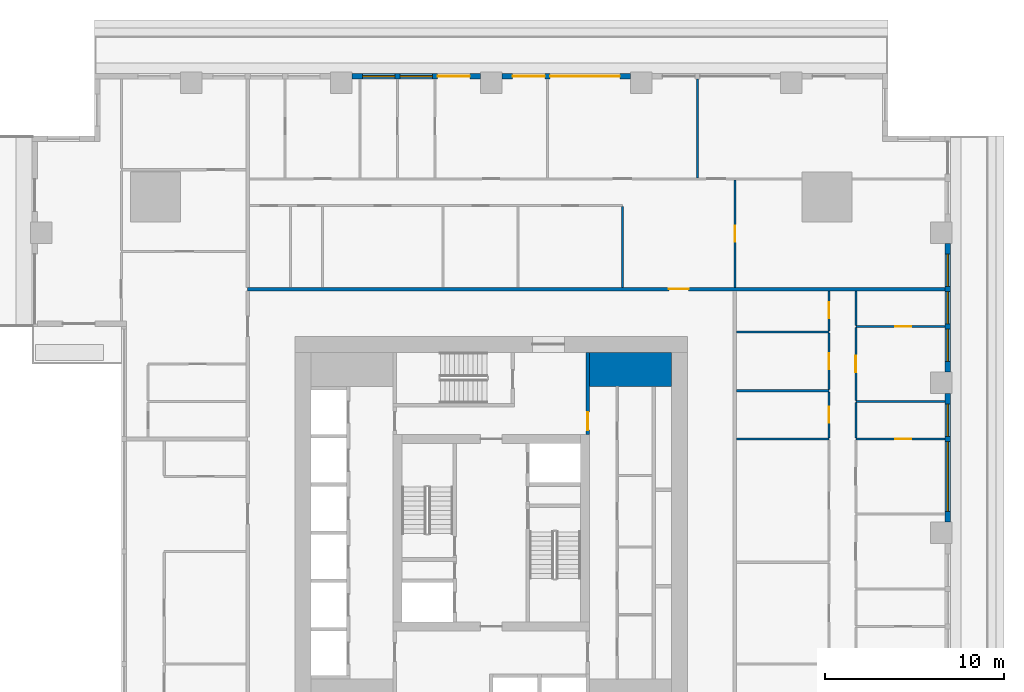
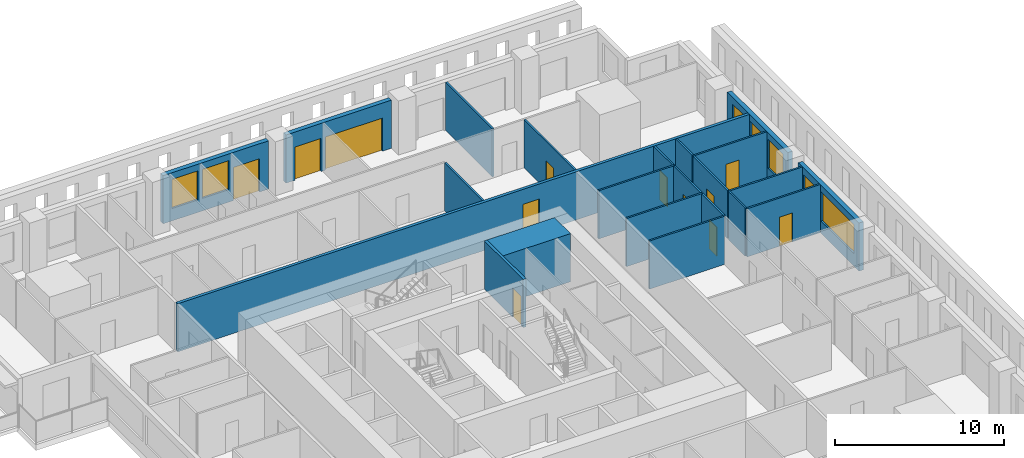
# One storey, part 8 of 14: 22 walls, 12 doors, 7 windows, 19 openings.
"""IFC4 building model written with IfcOpenShell, lengths in metres."""

from ifc_helpers import new_model, si_unit, direction, frame, frame_2d, origin, place, context, subcontext, project, spatial, rectangle, extrude, material, layer, layer_set, type_object, element, fill, save


model = new_model("IFC4")

# Units and contexts
model_context = context("Model", 3, precision=1e-05, world=origin(), true_north=direction((0.0, 1.0)))
body_context = subcontext(model_context, "Body", "Model", "MODEL_VIEW")
ifc_project = project(units=[si_unit("LENGTHUNIT", "METRE"), si_unit("AREAUNIT", "SQUARE_METRE"), si_unit("VOLUMEUNIT", "CUBIC_METRE"), si_unit("PLANEANGLEUNIT", "RADIAN"), si_unit("MASSUNIT", "GRAM", prefix="KILO")], contexts=[model_context])

# Site, building, storey
site_placement = place(None, origin())
site = spatial("IfcSite", under=ifc_project, at=site_placement, CompositionType="ELEMENT")
building_placement = place(site_placement, origin())
building = spatial("IfcBuilding", under=site, at=building_placement, Name="Khepri Terraces", CompositionType="ELEMENT")
storey_placement = place(building_placement, frame((0.0, 0.0, 110.39990234375)))
storey = spatial("IfcBuildingStorey", under=building, at=storey_placement, Name="L26", CompositionType="ELEMENT", Elevation=110.39990234375)

# Wall
ifc_material_1 = material(Name="Concrete C70/85", Category="concrete")
ifc_layer_1 = layer(ifc_material_1, 1.89990234375, Name="Concrete C70/85", Category="concrete")
ifc_layer_set_1 = layer_set([ifc_layer_1], Name="Concrete C70/85")
wall_type_1 = type_object("IfcWallType", Name="Core wall 1900 C70/85", PredefinedType="SHEAR", material=ifc_layer_set_1)
wall_1_placement = place(storey_placement, frame((5.5, 9.14990234375, 0.0), z_axis=(0.0, 0.0, 1.0), x_axis=(1.0, 0.0, 0.0)))
element("IfcWall", 1, at=wall_1_placement, inside=storey, type_object=wall_type_1, Name="Core wall PR04 L26", PredefinedType="SHEAR", context=body_context, shape_type="SweptSolid", body=[
    extrude(rectangle(XDim=4.60009765625, YDim=1.89990234375, at=frame_2d((2.300048828125, 0.0))), origin(), (0.0, 0.0, 1.0), 3.47998046875),
])

# Wall, opening, door
ifc_material_2 = material(Name="Fire-rated gypsum board partition")
ifc_layer_2 = layer(ifc_material_2, 0.199951171875, Name="Fire-rated gypsum board partition")
ifc_layer_set_2 = layer_set([ifc_layer_2], Name="Fire-rated gypsum board partition")
wall_type_2 = type_object("IfcWallType", Name="WL-CORE-PART-200", PredefinedType="PARTITIONING", material=ifc_layer_set_2)
wall_2_placement = place(storey_placement, frame((5.39990234375, 5.5, 0.0), z_axis=(0.0, 0.0, 1.0), x_axis=(0.0, 1.0, 0.0)))
wall_2 = element("IfcWall", 2, at=wall_2_placement, inside=storey, type_object=wall_type_2, Name="Core partition PT08 L26", PredefinedType="PARTITIONING", context=body_context, shape_type="SweptSolid", body=[
    extrude(rectangle(XDim=4.60009765625, YDim=0.199951171875, at=frame_2d((2.300048828125, 0.0))), origin(), (0.0, 0.0, 1.0), 3.47998046875),
])
opening_1_placement = place(wall_2_placement, frame((0.25, 0.0, 0.0)))
opening_1 = element("IfcOpeningElement", 3, at=opening_1_placement, cuts=wall_2, Name="Opening L26-C17", PredefinedType="OPENING", context=body_context, shape_type="SweptSolid", body=[
    extrude(rectangle(XDim=1.0, YDim=2.10009765625, at=frame_2d((0.5, 1.050048828125))), frame((0.0, 0.10986328125, 0.0), z_axis=(0.0, -1.0, 0.0), x_axis=(1.0, 0.0, 0.0)), (0.0, 0.0, 1.0), 0.219970703125),
])
ifc_material_3 = material(Name="Painted steel", Category="steel")
door_type_1 = type_object("IfcDoorType", Name="DR-CORE-LOBBY-1000", OperationType="NOTDEFINED", PredefinedType="DOOR", material=ifc_material_3)
door_1_placement = place(opening_1_placement, origin())
door_1 = element("IfcDoor", 4, at=door_1_placement, inside=storey, type_object=door_type_1, Name="Lobby door L26-C17", OperationType="SINGLE_SWING_LEFT", OverallHeight=2.10009765625, OverallWidth=1.0, PredefinedType="DOOR", context=body_context, shape_type="SweptSolid", body=[
    extrude(rectangle(XDim=1.0, YDim=2.10009765625, at=frame_2d((0.5, 1.050048828125))), frame((0.0, 0.02490234375, 0.0), z_axis=(0.0, -1.0, 0.0), x_axis=(1.0, 0.0, 0.0)), (0.0, 0.0, 1.0), 0.050048828125),
])
fill(opening_1, door_1)

ifc_material_4 = material(Name="Fire-rated gypsum plasterboard partition, mineral wool")
ifc_layer_3 = layer(ifc_material_4, 0.199951171875, Name="Fire-rated gypsum plasterboard partition, mineral wool")
ifc_layer_set_3 = layer_set([ifc_layer_3], Name="Fire-rated gypsum plasterboard partition, mineral wool")
wall_type_3 = type_object("IfcWallType", Name="WL-CORR-200", PredefinedType="PARTITIONING", material=ifc_layer_set_3)
wall_3_placement = place(storey_placement, frame((-13.64990234375, 13.64990234375, 0.0), z_axis=(0.0, 0.0, 1.0), x_axis=(1.0, 0.0, 0.0)))
wall_3 = element("IfcWall", 5, at=wall_3_placement, inside=storey, type_object=wall_type_3, Name="Partition P-065 L26", PredefinedType="PARTITIONING", context=body_context, shape_type="SweptSolid", body=[
    extrude(rectangle(XDim=39.06982421875, YDim=0.199951171875, at=frame_2d((19.534912109375, 0.0))), origin(), (0.0, 0.0, 1.0), 3.47998046875),
])
opening_2_placement = place(wall_3_placement, frame((23.60009765625, 0.0, 0.0)))
opening_2 = element("IfcOpeningElement", 6, at=opening_2_placement, cuts=wall_3, Name="Opening D1", PredefinedType="OPENING", context=body_context, shape_type="SweptSolid", body=[
    extrude(rectangle(XDim=1.10009765625, YDim=2.39990234375, at=frame_2d((0.550048828125, 1.199951171875))), frame((0.0, 0.10986328125, 0.0), z_axis=(0.0, -1.0, 0.0), x_axis=(1.0, 0.0, 0.0)), (0.0, 0.0, 1.0), 0.219970703125),
])
ifc_material_5 = material(Name="Solid-core timber door leaf, flat entrance door", Category="wood")
door_type_2 = type_object("IfcDoorType", Name="DR-ENT-1100", OperationType="NOTDEFINED", PredefinedType="DOOR", material=ifc_material_5)
door_2_placement = place(opening_2_placement, origin())
door_2 = element("IfcDoor", 7, at=door_2_placement, inside=storey, type_object=door_type_2, Name="Flat C1 entrance door", OperationType="SINGLE_SWING_RIGHT", OverallHeight=2.39990234375, OverallWidth=1.10009765625, PredefinedType="DOOR", context=body_context, shape_type="SweptSolid", body=[
    extrude(rectangle(XDim=1.10009765625, YDim=2.39990234375, at=frame_2d((0.550048828125, 1.199951171875))), frame((0.0, 0.02490234375, 0.0), z_axis=(0.0, -1.0, 0.0), x_axis=(1.0, 0.0, 0.0)), (0.0, 0.0, 1.0), 0.050048828125),
])
fill(opening_2, door_2)

# Wall, openings, windows
ifc_material_6 = material(Name="Precast concrete C50/60 warm stone", Category="masonry")
ifc_layer_4 = layer(ifc_material_6, 0.300048828125, Name="Precast concrete C50/60 warm stone", Category="masonry")
ifc_layer_set_4 = layer_set([ifc_layer_4], Name="Precast concrete C50/60 warm stone")
wall_type_4 = type_object("IfcWallType", Name="WL-EXT-PRECAST-300", PredefinedType="STANDARD", material=ifc_layer_set_4)
wall_4_placement = place(storey_placement, frame((25.570068359375, 0.60009765625, 0.0), z_axis=(0.0, 0.0, 1.0), x_axis=(0.0, 1.0, 0.0)))
wall_4 = element("IfcWall", 8, at=wall_4_placement, inside=storey, type_object=wall_type_4, Name="External wall L26 E", PredefinedType="STANDARD", context=body_context, shape_type="SweptSolid", body=[
    extrude(rectangle(XDim=7.199951171875, YDim=0.300048828125, at=frame_2d((3.60009765625, 0.0))), origin(), (0.0, 0.0, 1.0), 3.47998046875),
])
opening_3_placement = place(wall_4_placement, frame((0.60009765625, 0.0, 0.89990234375)))
opening_3 = element("IfcOpeningElement", 9, at=opening_3_placement, cuts=wall_4, Name="Opening W2", PredefinedType="OPENING", context=body_context, shape_type="SweptSolid", body=[
    extrude(rectangle(XDim=3.89990234375, YDim=2.10009765625, at=frame_2d((1.949951171875, 1.050048828125))), frame((0.0, 0.16015625, 0.0), z_axis=(0.0, -1.0, 0.0), x_axis=(1.0, 0.0, 0.0)), (0.0, 0.0, 1.0), 0.320068359375),
])
opening_4_placement = place(wall_4_placement, frame((4.800048828125, 0.0, 0.89990234375)))
opening_4 = element("IfcOpeningElement", 10, at=opening_4_placement, cuts=wall_4, Name="Opening W1", PredefinedType="OPENING", context=body_context, shape_type="SweptSolid", body=[
    extrude(rectangle(XDim=1.800048828125, YDim=2.10009765625, at=frame_2d((0.89990234375, 1.050048828125))), frame((0.0, 0.16015625, 0.0), z_axis=(0.0, -1.0, 0.0), x_axis=(1.0, 0.0, 0.0)), (0.0, 0.0, 1.0), 0.320068359375),
])
ifc_material_7 = material(Name="Clear glass", Category="glass")
window_type_1 = type_object("IfcWindowType", Name="WIN-RES-1800x2100", PartitioningType="SINGLE_PANEL", PredefinedType="WINDOW", material=ifc_material_7)
window_1_placement = place(opening_4_placement, origin())
window_1 = element("IfcWindow", 11, at=window_1_placement, inside=storey, type_object=window_type_1, Name="Window L26 E", OverallHeight=2.10009765625, OverallWidth=1.800048828125, PartitioningType="SINGLE_PANEL", PredefinedType="WINDOW", context=body_context, shape_type="SweptSolid", body=[
    extrude(rectangle(XDim=1.800048828125, YDim=2.10009765625, at=frame_2d((0.89990234375, 1.050048828125))), frame((0.0, 0.030029296875, 0.0), z_axis=(0.0, -1.0, 0.0), x_axis=(1.0, 0.0, 0.0)), (0.0, 0.0, 1.0), 0.06005859375),
])
fill(opening_4, window_1)
window_type_2 = type_object("IfcWindowType", Name="WIN-RES-3900x2100", PartitioningType="SINGLE_PANEL", PredefinedType="WINDOW", material=ifc_material_7)
window_2_placement = place(opening_3_placement, origin())
window_2 = element("IfcWindow", 12, at=window_2_placement, inside=storey, type_object=window_type_2, Name="Window L26 E", OverallHeight=2.10009765625, OverallWidth=3.89990234375, PartitioningType="SINGLE_PANEL", PredefinedType="WINDOW", context=body_context, shape_type="SweptSolid", body=[
    extrude(rectangle(XDim=3.89990234375, YDim=2.10009765625, at=frame_2d((1.949951171875, 1.050048828125))), frame((0.0, 0.030029296875, 0.0), z_axis=(0.0, -1.0, 0.0), x_axis=(1.0, 0.0, 0.0)), (0.0, 0.0, 1.0), 0.06005859375),
])
fill(opening_3, window_2)

wall_5_placement = place(storey_placement, frame((25.570068359375, 9.0, 0.0), z_axis=(0.0, 0.0, 1.0), x_axis=(0.0, 1.0, 0.0)))
wall_5 = element("IfcWall", 13, at=wall_5_placement, inside=storey, type_object=wall_type_4, Name="External wall L26 E", PredefinedType="STANDARD", context=body_context, shape_type="SweptSolid", body=[
    extrude(rectangle(XDim=7.199951171875, YDim=0.300048828125, at=frame_2d((3.60009765625, 0.0))), origin(), (0.0, 0.0, 1.0), 3.47998046875),
])
opening_5_placement = place(wall_5_placement, frame((0.60009765625, 0.0, 0.89990234375)))
opening_5 = element("IfcOpeningElement", 14, at=opening_5_placement, cuts=wall_5, Name="Opening W1", PredefinedType="OPENING", context=body_context, shape_type="SweptSolid", body=[
    extrude(rectangle(XDim=1.800048828125, YDim=2.10009765625, at=frame_2d((0.89990234375, 1.050048828125))), frame((0.0, 0.16015625, 0.0), z_axis=(0.0, -1.0, 0.0), x_axis=(1.0, 0.0, 0.0)), (0.0, 0.0, 1.0), 0.320068359375),
])
opening_6_placement = place(wall_5_placement, frame((2.699951171875, 0.0, 0.89990234375)))
opening_6 = element("IfcOpeningElement", 15, at=opening_6_placement, cuts=wall_5, Name="Opening W1", PredefinedType="OPENING", context=body_context, shape_type="SweptSolid", body=[
    extrude(rectangle(XDim=1.800048828125, YDim=2.10009765625, at=frame_2d((0.89990234375, 1.050048828125))), frame((0.0, 0.16015625, 0.0), z_axis=(0.0, -1.0, 0.0), x_axis=(1.0, 0.0, 0.0)), (0.0, 0.0, 1.0), 0.320068359375),
])
opening_7_placement = place(wall_5_placement, frame((4.800048828125, 0.0, 0.89990234375)))
opening_7 = element("IfcOpeningElement", 16, at=opening_7_placement, cuts=wall_5, Name="Opening W1", PredefinedType="OPENING", context=body_context, shape_type="SweptSolid", body=[
    extrude(rectangle(XDim=1.800048828125, YDim=2.10009765625, at=frame_2d((0.89990234375, 1.050048828125))), frame((0.0, 0.16015625, 0.0), z_axis=(0.0, -1.0, 0.0), x_axis=(1.0, 0.0, 0.0)), (0.0, 0.0, 1.0), 0.320068359375),
])
window_3_placement = place(opening_5_placement, origin())
window_3 = element("IfcWindow", 17, at=window_3_placement, inside=storey, type_object=window_type_1, Name="Window L26 E", OverallHeight=2.10009765625, OverallWidth=1.800048828125, PartitioningType="SINGLE_PANEL", PredefinedType="WINDOW", context=body_context, shape_type="SweptSolid", body=[
    extrude(rectangle(XDim=1.800048828125, YDim=2.10009765625, at=frame_2d((0.89990234375, 1.050048828125))), frame((0.0, 0.030029296875, 0.0), z_axis=(0.0, -1.0, 0.0), x_axis=(1.0, 0.0, 0.0)), (0.0, 0.0, 1.0), 0.06005859375),
])
fill(opening_5, window_3)
window_4_placement = place(opening_6_placement, origin())
window_4 = element("IfcWindow", 18, at=window_4_placement, inside=storey, type_object=window_type_1, Name="Window L26 E", OverallHeight=2.10009765625, OverallWidth=1.800048828125, PartitioningType="SINGLE_PANEL", PredefinedType="WINDOW", context=body_context, shape_type="SweptSolid", body=[
    extrude(rectangle(XDim=1.800048828125, YDim=2.10009765625, at=frame_2d((0.89990234375, 1.050048828125))), frame((0.0, 0.030029296875, 0.0), z_axis=(0.0, -1.0, 0.0), x_axis=(1.0, 0.0, 0.0)), (0.0, 0.0, 1.0), 0.06005859375),
])
fill(opening_6, window_4)
window_5_placement = place(opening_7_placement, origin())
window_5 = element("IfcWindow", 19, at=window_5_placement, inside=storey, type_object=window_type_1, Name="Window L26 E", OverallHeight=2.10009765625, OverallWidth=1.800048828125, PartitioningType="SINGLE_PANEL", PredefinedType="WINDOW", context=body_context, shape_type="SweptSolid", body=[
    extrude(rectangle(XDim=1.800048828125, YDim=2.10009765625, at=frame_2d((0.89990234375, 1.050048828125))), frame((0.0, 0.030029296875, 0.0), z_axis=(0.0, -1.0, 0.0), x_axis=(1.0, 0.0, 0.0)), (0.0, 0.0, 1.0), 0.06005859375),
])
fill(opening_7, window_5)

# Wall, openings, doors
wall_6_placement = place(storey_placement, frame((7.800048828125, 25.570068359375, 0.0), z_axis=(0.0, 0.0, 1.0), x_axis=(-1.0, 0.0, 0.0)))
wall_6 = element("IfcWall", 20, at=wall_6_placement, inside=storey, type_object=wall_type_4, Name="External wall L26 N", PredefinedType="STANDARD", context=body_context, shape_type="SweptSolid", body=[
    extrude(rectangle(XDim=7.199951171875, YDim=0.300048828125, at=frame_2d((3.60009765625, 0.0))), origin(), (0.0, 0.0, 1.0), 3.47998046875),
])
opening_8_placement = place(wall_6_placement, frame((0.60009765625, 0.0, 0.0)))
opening_8 = element("IfcOpeningElement", 21, at=opening_8_placement, cuts=wall_6, Name="Opening ED-L26-08", PredefinedType="OPENING", context=body_context, shape_type="SweptSolid", body=[
    extrude(rectangle(XDim=3.89990234375, YDim=2.39990234375, at=frame_2d((1.949951171875, 1.199951171875))), frame((0.0, 0.16015625, 0.0), z_axis=(0.0, -1.0, 0.0), x_axis=(1.0, 0.0, 0.0)), (0.0, 0.0, 1.0), 0.320068359375),
])
opening_9_placement = place(wall_6_placement, frame((4.800048828125, 0.0, 0.0)))
opening_9 = element("IfcOpeningElement", 22, at=opening_9_placement, cuts=wall_6, Name="Opening ED-L26-09", PredefinedType="OPENING", context=body_context, shape_type="SweptSolid", body=[
    extrude(rectangle(XDim=1.800048828125, YDim=2.39990234375, at=frame_2d((0.89990234375, 1.199951171875))), frame((0.0, 0.16015625, 0.0), z_axis=(0.0, -1.0, 0.0), x_axis=(1.0, 0.0, 0.0)), (0.0, 0.0, 1.0), 0.320068359375),
])
ifc_material_8 = material(Name="Anodised aluminium bronze glazed door", Category="aluminium")
door_type_3 = type_object("IfcDoorType", Name="DR-BAL-SLIDE-1800x2400", OperationType="NOTDEFINED", PredefinedType="DOOR", material=ifc_material_8)
door_3_placement = place(opening_9_placement, origin())
door_3 = element("IfcDoor", 23, at=door_3_placement, inside=storey, type_object=door_type_3, Name="Balcony door L26 N", OperationType="SLIDING_TO_RIGHT", OverallHeight=2.39990234375, OverallWidth=1.800048828125, PredefinedType="DOOR", context=body_context, shape_type="SweptSolid", body=[
    extrude(rectangle(XDim=1.800048828125, YDim=2.39990234375, at=frame_2d((0.89990234375, 1.199951171875))), frame((0.0, 0.02490234375, 0.0), z_axis=(0.0, -1.0, 0.0), x_axis=(1.0, 0.0, 0.0)), (0.0, 0.0, 1.0), 0.050048828125),
])
fill(opening_9, door_3)
door_type_4 = type_object("IfcDoorType", Name="DR-BAL-SLIDE-3900x2400", OperationType="NOTDEFINED", PredefinedType="DOOR", material=ifc_material_8)
door_4_placement = place(opening_8_placement, origin())
door_4 = element("IfcDoor", 24, at=door_4_placement, inside=storey, type_object=door_type_4, Name="Balcony door L26 N", OperationType="SLIDING_TO_LEFT", OverallHeight=2.39990234375, OverallWidth=3.89990234375, PredefinedType="DOOR", context=body_context, shape_type="SweptSolid", body=[
    extrude(rectangle(XDim=3.89990234375, YDim=2.39990234375, at=frame_2d((1.949951171875, 1.199951171875))), frame((0.0, 0.02490234375, 0.0), z_axis=(0.0, -1.0, 0.0), x_axis=(1.0, 0.0, 0.0)), (0.0, 0.0, 1.0), 0.050048828125),
])
fill(opening_8, door_4)

# Wall, openings, door, windows
wall_7_placement = place(storey_placement, frame((-0.60009765625, 25.570068359375, 0.0), z_axis=(0.0, 0.0, 1.0), x_axis=(-1.0, 0.0, 0.0)))
wall_7 = element("IfcWall", 25, at=wall_7_placement, inside=storey, type_object=wall_type_4, Name="External wall L26 N", PredefinedType="STANDARD", context=body_context, shape_type="SweptSolid", body=[
    extrude(rectangle(XDim=7.199951171875, YDim=0.300048828125, at=frame_2d((3.60009765625, 0.0))), origin(), (0.0, 0.0, 1.0), 3.47998046875),
])
opening_10_placement = place(wall_7_placement, frame((0.60009765625, 0.0, 0.0)))
opening_10 = element("IfcOpeningElement", 26, at=opening_10_placement, cuts=wall_7, Name="Opening ED-L26-10", PredefinedType="OPENING", context=body_context, shape_type="SweptSolid", body=[
    extrude(rectangle(XDim=1.800048828125, YDim=2.39990234375, at=frame_2d((0.89990234375, 1.199951171875))), frame((0.0, 0.16015625, 0.0), z_axis=(0.0, -1.0, 0.0), x_axis=(1.0, 0.0, 0.0)), (0.0, 0.0, 1.0), 0.320068359375),
])
opening_11_placement = place(wall_7_placement, frame((2.699951171875, 0.0, 0.89990234375)))
opening_11 = element("IfcOpeningElement", 27, at=opening_11_placement, cuts=wall_7, Name="Opening W1", PredefinedType="OPENING", context=body_context, shape_type="SweptSolid", body=[
    extrude(rectangle(XDim=1.800048828125, YDim=2.10009765625, at=frame_2d((0.89990234375, 1.050048828125))), frame((0.0, 0.16015625, 0.0), z_axis=(0.0, -1.0, 0.0), x_axis=(1.0, 0.0, 0.0)), (0.0, 0.0, 1.0), 0.320068359375),
])
opening_12_placement = place(wall_7_placement, frame((4.800048828125, 0.0, 0.89990234375)))
opening_12 = element("IfcOpeningElement", 28, at=opening_12_placement, cuts=wall_7, Name="Opening W1", PredefinedType="OPENING", context=body_context, shape_type="SweptSolid", body=[
    extrude(rectangle(XDim=1.800048828125, YDim=2.10009765625, at=frame_2d((0.89990234375, 1.050048828125))), frame((0.0, 0.16015625, 0.0), z_axis=(0.0, -1.0, 0.0), x_axis=(1.0, 0.0, 0.0)), (0.0, 0.0, 1.0), 0.320068359375),
])
door_5_placement = place(opening_10_placement, origin())
door_5 = element("IfcDoor", 29, at=door_5_placement, inside=storey, type_object=door_type_3, Name="Balcony door L26 N", OperationType="SLIDING_TO_LEFT", OverallHeight=2.39990234375, OverallWidth=1.800048828125, PredefinedType="DOOR", context=body_context, shape_type="SweptSolid", body=[
    extrude(rectangle(XDim=1.800048828125, YDim=2.39990234375, at=frame_2d((0.89990234375, 1.199951171875))), frame((0.0, 0.02490234375, 0.0), z_axis=(0.0, -1.0, 0.0), x_axis=(1.0, 0.0, 0.0)), (0.0, 0.0, 1.0), 0.050048828125),
])
fill(opening_10, door_5)
window_6_placement = place(opening_11_placement, origin())
window_6 = element("IfcWindow", 30, at=window_6_placement, inside=storey, type_object=window_type_1, Name="Window L26 N", OverallHeight=2.10009765625, OverallWidth=1.800048828125, PartitioningType="SINGLE_PANEL", PredefinedType="WINDOW", context=body_context, shape_type="SweptSolid", body=[
    extrude(rectangle(XDim=1.800048828125, YDim=2.10009765625, at=frame_2d((0.89990234375, 1.050048828125))), frame((0.0, 0.030029296875, 0.0), z_axis=(0.0, -1.0, 0.0), x_axis=(1.0, 0.0, 0.0)), (0.0, 0.0, 1.0), 0.06005859375),
])
fill(opening_11, window_6)
window_7_placement = place(opening_12_placement, origin())
window_7 = element("IfcWindow", 31, at=window_7_placement, inside=storey, type_object=window_type_1, Name="Window L26 N", OverallHeight=2.10009765625, OverallWidth=1.800048828125, PartitioningType="SINGLE_PANEL", PredefinedType="WINDOW", context=body_context, shape_type="SweptSolid", body=[
    extrude(rectangle(XDim=1.800048828125, YDim=2.10009765625, at=frame_2d((0.89990234375, 1.050048828125))), frame((0.0, 0.030029296875, 0.0), z_axis=(0.0, -1.0, 0.0), x_axis=(1.0, 0.0, 0.0)), (0.0, 0.0, 1.0), 0.06005859375),
])
fill(opening_12, window_7)

# Wall
ifc_material_9 = material(Name="Gypsum plasterboard partition")
ifc_layer_5 = layer(ifc_material_9, 0.1201171875, Name="Gypsum plasterboard partition")
ifc_layer_set_5 = layer_set([ifc_layer_5], Name="Gypsum plasterboard partition")
wall_type_5 = type_object("IfcWallType", Name="WL-PART-120", PredefinedType="PARTITIONING", material=ifc_layer_set_5)
wall_8_placement = place(storey_placement, frame((13.75, 5.25, 0.0), z_axis=(0.0, 0.0, 1.0), x_axis=(1.0, 0.0, 0.0)))
element("IfcWall", 32, at=wall_8_placement, inside=storey, type_object=wall_type_5, Name="Partition P-047 L26", PredefinedType="PARTITIONING", context=body_context, shape_type="SweptSolid", body=[
    extrude(rectangle(XDim=5.169921875, YDim=0.1201171875, at=frame_2d((2.5849609375, 0.0))), origin(), (0.0, 0.0, 1.0), 3.47998046875),
])

# Wall, opening, door
wall_9_placement = place(storey_placement, frame((20.419921875, 5.25, 0.0), z_axis=(0.0, 0.0, 1.0), x_axis=(1.0, 0.0, 0.0)))
wall_9 = element("IfcWall", 33, at=wall_9_placement, inside=storey, type_object=wall_type_5, Name="Partition P-048 L26", PredefinedType="PARTITIONING", context=body_context, shape_type="SweptSolid", body=[
    extrude(rectangle(XDim=5.0, YDim=0.1201171875, at=frame_2d((2.5, 0.0))), origin(), (0.0, 0.0, 1.0), 3.47998046875),
])
opening_13_placement = place(wall_9_placement, frame((2.199951171875, 0.0, 0.0)))
opening_13 = element("IfcOpeningElement", 34, at=opening_13_placement, cuts=wall_9, Name="Opening D4", PredefinedType="OPENING", context=body_context, shape_type="SweptSolid", body=[
    extrude(rectangle(XDim=0.89990234375, YDim=2.10009765625, at=frame_2d((0.449951171875, 1.050048828125))), frame((0.0, 0.070068359375, 0.0), z_axis=(0.0, -1.0, 0.0), x_axis=(1.0, 0.0, 0.0)), (0.0, 0.0, 1.0), 0.14013671875),
])
ifc_material_10 = material(Name="Timber door leaf, moisture resistant", Category="wood")
door_type_5 = type_object("IfcDoorType", Name="DR-WET-900", OperationType="NOTDEFINED", PredefinedType="DOOR", material=ifc_material_10)
door_6_placement = place(opening_13_placement, origin())
door_6 = element("IfcDoor", 35, at=door_6_placement, inside=storey, type_object=door_type_5, Name="Door Bathroom", OperationType="SINGLE_SWING_RIGHT", OverallHeight=2.10009765625, OverallWidth=0.89990234375, PredefinedType="DOOR", context=body_context, shape_type="SweptSolid", body=[
    extrude(rectangle(XDim=0.89990234375, YDim=2.10009765625, at=frame_2d((0.449951171875, 1.050048828125))), frame((0.0, 0.02490234375, 0.0), z_axis=(0.0, -1.0, 0.0), x_axis=(1.0, 0.0, 0.0)), (0.0, 0.0, 1.0), 0.050048828125),
])
fill(opening_13, door_6)

wall_10_placement = place(storey_placement, frame((18.919921875, 5.31005859375, 0.0), z_axis=(0.0, 0.0, 1.0), x_axis=(0.0, 1.0, 0.0)))
wall_10 = element("IfcWall", 36, at=wall_10_placement, inside=storey, type_object=wall_type_5, Name="Partition P-049 L26", PredefinedType="PARTITIONING", context=body_context, shape_type="SweptSolid", body=[
    extrude(rectangle(XDim=2.579833984375, YDim=0.1201171875, at=frame_2d((1.2900390625, 0.0))), origin(), (0.0, 0.0, 1.0), 3.47998046875),
])
opening_14_placement = place(wall_10_placement, frame((0.840087890625, 0.0, 0.0)))
opening_14 = element("IfcOpeningElement", 37, at=opening_14_placement, cuts=wall_10, Name="Opening D4", PredefinedType="OPENING", context=body_context, shape_type="SweptSolid", body=[
    extrude(rectangle(XDim=0.89990234375, YDim=2.10009765625, at=frame_2d((0.449951171875, 1.050048828125))), frame((0.0, 0.070068359375, 0.0), z_axis=(0.0, -1.0, 0.0), x_axis=(1.0, 0.0, 0.0)), (0.0, 0.0, 1.0), 0.14013671875),
])
door_7_placement = place(opening_14_placement, origin())
door_7 = element("IfcDoor", 38, at=door_7_placement, inside=storey, type_object=door_type_5, Name="Door Powder Room", OperationType="SINGLE_SWING_RIGHT", OverallHeight=2.10009765625, OverallWidth=0.89990234375, PredefinedType="DOOR", context=body_context, shape_type="SweptSolid", body=[
    extrude(rectangle(XDim=0.89990234375, YDim=2.10009765625, at=frame_2d((0.449951171875, 1.050048828125))), frame((0.0, 0.02490234375, 0.0), z_axis=(0.0, -1.0, 0.0), x_axis=(1.0, 0.0, 0.0)), (0.0, 0.0, 1.0), 0.050048828125),
])
fill(opening_14, door_7)

# Walls
wall_11_placement = place(storey_placement, frame((20.419921875, 5.31005859375, 0.0), z_axis=(0.0, 0.0, 1.0), x_axis=(0.0, 1.0, 0.0)))
element("IfcWall", 39, at=wall_11_placement, inside=storey, type_object=wall_type_5, Name="Partition P-050 L26", PredefinedType="PARTITIONING", context=body_context, shape_type="SweptSolid", body=[
    extrude(rectangle(XDim=1.97998046875, YDim=0.1201171875, at=frame_2d((0.989990234375, 0.0))), origin(), (0.0, 0.0, 1.0), 3.47998046875),
])
wall_12_placement = place(storey_placement, frame((20.419921875, 7.35009765625, 0.0), z_axis=(0.0, 0.0, 1.0), x_axis=(1.0, 0.0, 0.0)))
element("IfcWall", 40, at=wall_12_placement, inside=storey, type_object=wall_type_5, Name="Partition P-054 L26", PredefinedType="PARTITIONING", context=body_context, shape_type="SweptSolid", body=[
    extrude(rectangle(XDim=5.0, YDim=0.1201171875, at=frame_2d((2.5, 0.0))), origin(), (0.0, 0.0, 1.0), 3.47998046875),
])

# Wall, opening, door
wall_13_placement = place(storey_placement, frame((20.419921875, 7.409912109375, 0.0), z_axis=(0.0, 0.0, 1.0), x_axis=(0.0, 1.0, 0.0)))
wall_13 = element("IfcWall", 41, at=wall_13_placement, inside=storey, type_object=wall_type_5, Name="Partition P-056 L26", PredefinedType="PARTITIONING", context=body_context, shape_type="SweptSolid", body=[
    extrude(rectangle(XDim=4.080078125, YDim=0.1201171875, at=frame_2d((2.0400390625, 0.0))), origin(), (0.0, 0.0, 1.0), 3.47998046875),
])
opening_15_placement = place(wall_13_placement, frame((1.590087890625, 0.0, 0.0)))
opening_15 = element("IfcOpeningElement", 42, at=opening_15_placement, cuts=wall_13, Name="Opening D3", PredefinedType="OPENING", context=body_context, shape_type="SweptSolid", body=[
    extrude(rectangle(XDim=0.89990234375, YDim=2.10009765625, at=frame_2d((0.449951171875, 1.050048828125))), frame((0.0, 0.070068359375, 0.0), z_axis=(0.0, -1.0, 0.0), x_axis=(1.0, 0.0, 0.0)), (0.0, 0.0, 1.0), 0.14013671875),
])
ifc_material_11 = material(Name="Timber door leaf", Category="wood")
door_type_6 = type_object("IfcDoorType", Name="DR-INT-900", OperationType="NOTDEFINED", PredefinedType="DOOR", material=ifc_material_11)
door_8_placement = place(opening_15_placement, frame((0.89990234375, 0.0, 0.0), z_axis=(0.0, 0.0, 1.0), x_axis=(-1.0, 0.0, 0.0)))
door_8 = element("IfcDoor", 43, at=door_8_placement, inside=storey, type_object=door_type_6, Name="Door Bedroom", OperationType="SINGLE_SWING_RIGHT", OverallHeight=2.10009765625, OverallWidth=0.89990234375, PredefinedType="DOOR", context=body_context, shape_type="SweptSolid", body=[
    extrude(rectangle(XDim=0.89990234375, YDim=2.10009765625, at=frame_2d((0.449951171875, 1.050048828125))), frame((0.0, 0.02490234375, 0.0), z_axis=(0.0, -1.0, 0.0), x_axis=(1.0, 0.0, 0.0)), (0.0, 0.0, 1.0), 0.050048828125),
])
fill(opening_15, door_8)

# Wall
wall_14_placement = place(storey_placement, frame((13.75, 7.949951171875, 0.0), z_axis=(0.0, 0.0, 1.0), x_axis=(1.0, 0.0, 0.0)))
element("IfcWall", 44, at=wall_14_placement, inside=storey, type_object=wall_type_5, Name="Partition P-057 L26", PredefinedType="PARTITIONING", context=body_context, shape_type="SweptSolid", body=[
    extrude(rectangle(XDim=5.169921875, YDim=0.1201171875, at=frame_2d((2.5849609375, 0.0))), origin(), (0.0, 0.0, 1.0), 3.47998046875),
])

# Wall, opening, door
wall_15_placement = place(storey_placement, frame((18.919921875, 8.010009765625, 0.0), z_axis=(0.0, 0.0, 1.0), x_axis=(0.0, 1.0, 0.0)))
wall_15 = element("IfcWall", 45, at=wall_15_placement, inside=storey, type_object=wall_type_5, Name="Partition P-058 L26", PredefinedType="PARTITIONING", context=body_context, shape_type="SweptSolid", body=[
    extrude(rectangle(XDim=3.179931640625, YDim=0.1201171875, at=frame_2d((1.58984375, 0.0))), origin(), (0.0, 0.0, 1.0), 3.47998046875),
])
opening_16_placement = place(wall_15_placement, frame((1.139892578125, 0.0, 0.0)))
opening_16 = element("IfcOpeningElement", 46, at=opening_16_placement, cuts=wall_15, Name="Opening D4", PredefinedType="OPENING", context=body_context, shape_type="SweptSolid", body=[
    extrude(rectangle(XDim=0.89990234375, YDim=2.10009765625, at=frame_2d((0.449951171875, 1.050048828125))), frame((0.0, 0.070068359375, 0.0), z_axis=(0.0, -1.0, 0.0), x_axis=(1.0, 0.0, 0.0)), (0.0, 0.0, 1.0), 0.14013671875),
])
door_9_placement = place(opening_16_placement, origin())
door_9 = element("IfcDoor", 47, at=door_9_placement, inside=storey, type_object=door_type_5, Name="Door Guest Bathroom", OperationType="SINGLE_SWING_RIGHT", OverallHeight=2.10009765625, OverallWidth=0.89990234375, PredefinedType="DOOR", context=body_context, shape_type="SweptSolid", body=[
    extrude(rectangle(XDim=0.89990234375, YDim=2.10009765625, at=frame_2d((0.449951171875, 1.050048828125))), frame((0.0, 0.02490234375, 0.0), z_axis=(0.0, -1.0, 0.0), x_axis=(1.0, 0.0, 0.0)), (0.0, 0.0, 1.0), 0.050048828125),
])
fill(opening_16, door_9)

# Wall
wall_16_placement = place(storey_placement, frame((13.75, 11.25, 0.0), z_axis=(0.0, 0.0, 1.0), x_axis=(1.0, 0.0, 0.0)))
element("IfcWall", 48, at=wall_16_placement, inside=storey, type_object=wall_type_5, Name="Partition P-060 L26", PredefinedType="PARTITIONING", context=body_context, shape_type="SweptSolid", body=[
    extrude(rectangle(XDim=5.169921875, YDim=0.1201171875, at=frame_2d((2.5849609375, 0.0))), origin(), (0.0, 0.0, 1.0), 3.47998046875),
])

# Wall, opening, door
wall_17_placement = place(storey_placement, frame((18.919921875, 11.31005859375, 0.0), z_axis=(0.0, 0.0, 1.0), x_axis=(0.0, 1.0, 0.0)))
wall_17 = element("IfcWall", 49, at=wall_17_placement, inside=storey, type_object=wall_type_5, Name="Partition P-061 L26", PredefinedType="PARTITIONING", context=body_context, shape_type="SweptSolid", body=[
    extrude(rectangle(XDim=2.239990234375, YDim=0.1201171875, at=frame_2d((1.1201171875, 0.0))), origin(), (0.0, 0.0, 1.0), 3.47998046875),
])
opening_17_placement = place(wall_17_placement, frame((0.68994140625, 0.0, 0.0)))
opening_17 = element("IfcOpeningElement", 50, at=opening_17_placement, cuts=wall_17, Name="Opening D3", PredefinedType="OPENING", context=body_context, shape_type="SweptSolid", body=[
    extrude(rectangle(XDim=0.89990234375, YDim=2.10009765625, at=frame_2d((0.449951171875, 1.050048828125))), frame((0.0, 0.070068359375, 0.0), z_axis=(0.0, -1.0, 0.0), x_axis=(1.0, 0.0, 0.0)), (0.0, 0.0, 1.0), 0.14013671875),
])
door_10_placement = place(opening_17_placement, origin())
door_10 = element("IfcDoor", 51, at=door_10_placement, inside=storey, type_object=door_type_6, Name="Door Utility Room", OperationType="SINGLE_SWING_RIGHT", OverallHeight=2.10009765625, OverallWidth=0.89990234375, PredefinedType="DOOR", context=body_context, shape_type="SweptSolid", body=[
    extrude(rectangle(XDim=0.89990234375, YDim=2.10009765625, at=frame_2d((0.449951171875, 1.050048828125))), frame((0.0, 0.02490234375, 0.0), z_axis=(0.0, -1.0, 0.0), x_axis=(1.0, 0.0, 0.0)), (0.0, 0.0, 1.0), 0.050048828125),
])
fill(opening_17, door_10)

wall_18_placement = place(storey_placement, frame((20.419921875, 11.550048828125, 0.0), z_axis=(0.0, 0.0, 1.0), x_axis=(1.0, 0.0, 0.0)))
wall_18 = element("IfcWall", 52, at=wall_18_placement, inside=storey, type_object=wall_type_5, Name="Partition P-063 L26", PredefinedType="PARTITIONING", context=body_context, shape_type="SweptSolid", body=[
    extrude(rectangle(XDim=5.0, YDim=0.1201171875, at=frame_2d((2.5, 0.0))), origin(), (0.0, 0.0, 1.0), 3.47998046875),
])
opening_18_placement = place(wall_18_placement, frame((2.199951171875, 0.0, 0.0)))
opening_18 = element("IfcOpeningElement", 53, at=opening_18_placement, cuts=wall_18, Name="Opening D4", PredefinedType="OPENING", context=body_context, shape_type="SweptSolid", body=[
    extrude(rectangle(XDim=0.89990234375, YDim=2.10009765625, at=frame_2d((0.449951171875, 1.050048828125))), frame((0.0, 0.070068359375, 0.0), z_axis=(0.0, -1.0, 0.0), x_axis=(1.0, 0.0, 0.0)), (0.0, 0.0, 1.0), 0.14013671875),
])
door_11_placement = place(opening_18_placement, origin())
door_11 = element("IfcDoor", 54, at=door_11_placement, inside=storey, type_object=door_type_5, Name="Door Bathroom", OperationType="SINGLE_SWING_RIGHT", OverallHeight=2.10009765625, OverallWidth=0.89990234375, PredefinedType="DOOR", context=body_context, shape_type="SweptSolid", body=[
    extrude(rectangle(XDim=0.89990234375, YDim=2.10009765625, at=frame_2d((0.449951171875, 1.050048828125))), frame((0.0, 0.02490234375, 0.0), z_axis=(0.0, -1.0, 0.0), x_axis=(1.0, 0.0, 0.0)), (0.0, 0.0, 1.0), 0.050048828125),
])
fill(opening_18, door_11)

# Walls
wall_19_placement = place(storey_placement, frame((20.419921875, 11.610107421875, 0.0), z_axis=(0.0, 0.0, 1.0), x_axis=(0.0, 1.0, 0.0)))
element("IfcWall", 55, at=wall_19_placement, inside=storey, type_object=wall_type_5, Name="Partition P-064 L26", PredefinedType="PARTITIONING", context=body_context, shape_type="SweptSolid", body=[
    extrude(rectangle(XDim=1.93994140625, YDim=0.1201171875, at=frame_2d((0.969970703125, 0.0))), origin(), (0.0, 0.0, 1.0), 3.47998046875),
])
wall_20_placement = place(storey_placement, frame((7.35009765625, 13.75, 0.0), z_axis=(0.0, 0.0, 1.0), x_axis=(0.0, 1.0, 0.0)))
element("IfcWall", 56, at=wall_20_placement, inside=storey, type_object=wall_type_5, Name="Partition P-071 L26", PredefinedType="PARTITIONING", context=body_context, shape_type="SweptSolid", body=[
    extrude(rectangle(XDim=4.510009765625, YDim=0.1201171875, at=frame_2d((2.2548828125, 0.0))), origin(), (0.0, 0.0, 1.0), 3.47998046875),
])

# Wall, opening, door
wall_21_placement = place(storey_placement, frame((13.64990234375, 13.75, 0.0), z_axis=(0.0, 0.0, 1.0), x_axis=(0.0, 1.0, 0.0)))
wall_21 = element("IfcWall", 57, at=wall_21_placement, inside=storey, type_object=wall_type_5, Name="Partition P-072 L26", PredefinedType="PARTITIONING", context=body_context, shape_type="SweptSolid", body=[
    extrude(rectangle(XDim=6.010009765625, YDim=0.1201171875, at=frame_2d((3.0048828125, 0.0))), origin(), (0.0, 0.0, 1.0), 3.47998046875),
])
opening_19_placement = place(wall_21_placement, frame((2.534912109375, 0.0, 0.0)))
opening_19 = element("IfcOpeningElement", 58, at=opening_19_placement, cuts=wall_21, Name="Opening D3", PredefinedType="OPENING", context=body_context, shape_type="SweptSolid", body=[
    extrude(rectangle(XDim=0.89990234375, YDim=2.10009765625, at=frame_2d((0.449951171875, 1.050048828125))), frame((0.0, 0.070068359375, 0.0), z_axis=(0.0, -1.0, 0.0), x_axis=(1.0, 0.0, 0.0)), (0.0, 0.0, 1.0), 0.14013671875),
])
door_12_placement = place(opening_19_placement, frame((0.89990234375, 0.0, 0.0), z_axis=(0.0, 0.0, 1.0), x_axis=(-1.0, 0.0, 0.0)))
door_12 = element("IfcDoor", 59, at=door_12_placement, inside=storey, type_object=door_type_6, Name="Door Home Gym", OperationType="SINGLE_SWING_RIGHT", OverallHeight=2.10009765625, OverallWidth=0.89990234375, PredefinedType="DOOR", context=body_context, shape_type="SweptSolid", body=[
    extrude(rectangle(XDim=0.89990234375, YDim=2.10009765625, at=frame_2d((0.449951171875, 1.050048828125))), frame((0.0, 0.02490234375, 0.0), z_axis=(0.0, -1.0, 0.0), x_axis=(1.0, 0.0, 0.0)), (0.0, 0.0, 1.0), 0.050048828125),
])
fill(opening_19, door_12)

# Wall
wall_22_placement = place(storey_placement, frame((11.550048828125, 19.8798828125, 0.0), z_axis=(0.0, 0.0, 1.0), x_axis=(0.0, 1.0, 0.0)))
element("IfcWall", 60, at=wall_22_placement, inside=storey, type_object=wall_type_5, Name="Partition P-083 L26", PredefinedType="PARTITIONING", context=body_context, shape_type="SweptSolid", body=[
    extrude(rectangle(XDim=5.5400390625, YDim=0.1201171875, at=frame_2d((2.77001953125, 0.0))), origin(), (0.0, 0.0, 1.0), 3.47998046875),
])

save(model, "model.ifc")
